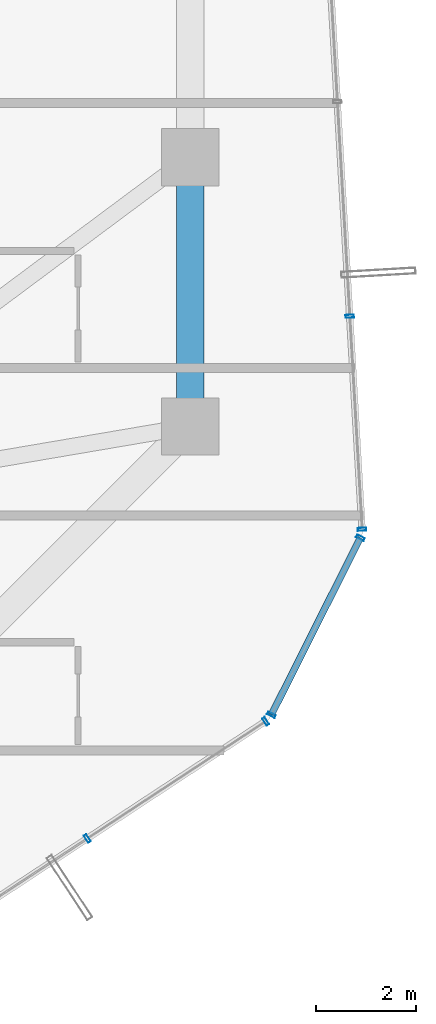
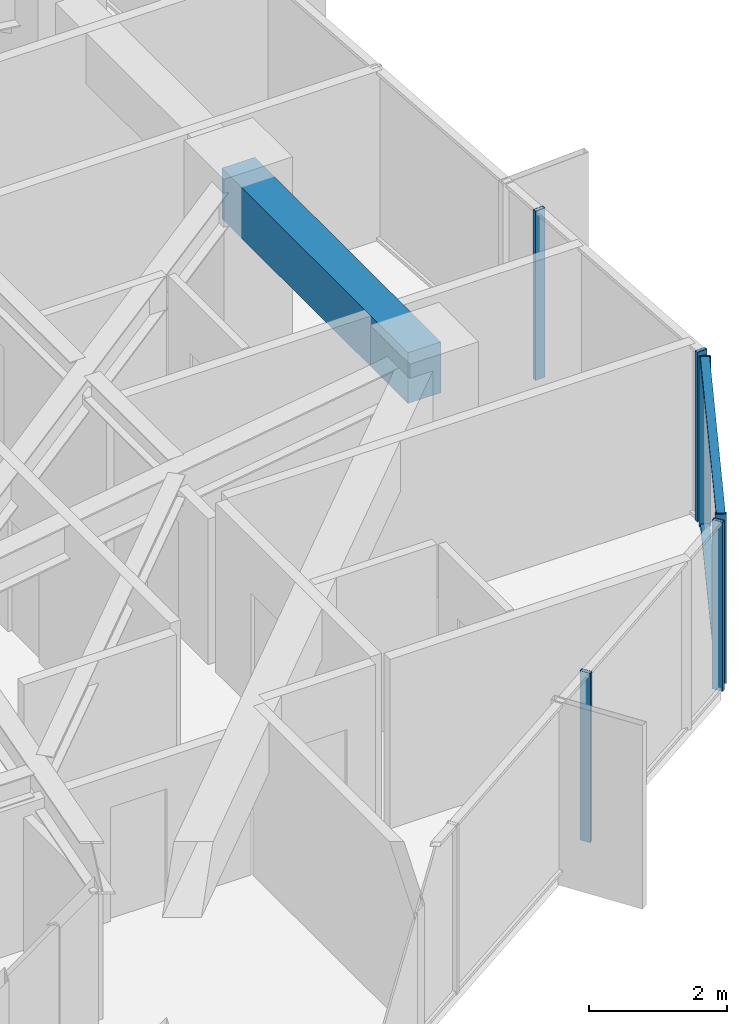
# One storey, part 14 of 33: 8 members, 1 beam, 3 elements without a shape of their own.
"""IFC4 building model written with IfcOpenShell, lengths in metres."""

from ifc_helpers import new_model, si_unit, direction, frame, origin, origin_2d, place, context, subcontext, project, spatial, rectangle, hollow_rectangle, extrude, source, transform, mapped, material, layer, layer_set, material_profile, profile_set, type_object, element, aggregate, save


model = new_model("IFC4")

# Units and contexts
model_context = context("Model", 3, precision=1e-05, world=origin(), true_north=direction((0.0, 1.0)))
body_context = subcontext(model_context, "Body", "Model", "MODEL_VIEW")
ifc_project = project(units=[si_unit("LENGTHUNIT", "METRE"), si_unit("AREAUNIT", "SQUARE_METRE"), si_unit("VOLUMEUNIT", "CUBIC_METRE"), si_unit("PLANEANGLEUNIT", "RADIAN"), si_unit("MASSUNIT", "GRAM", prefix="KILO")], contexts=[model_context])

# Site, building, storey
site_placement = place(None, origin())
site = spatial("IfcSite", under=ifc_project, at=site_placement, CompositionType="ELEMENT")
building_placement = place(site_placement, origin())
building = spatial("IfcBuilding", under=site, at=building_placement, Name="Veraguas Prism Commons", CompositionType="ELEMENT")
storey_placement = place(building_placement, frame((0.0, 0.0, 139.25)))
storey = spatial("IfcBuildingStorey", under=building, at=storey_placement, Name="L39", CompositionType="ELEMENT", Elevation=139.25)

# Beam
ifc_material_1 = material(Name="Concrete C50/60", Category="concrete")
ifc_material_profile_1 = material_profile(ifc_material_1, rectangle(XDim=0.550048828125, YDim=0.89990234375, at=origin_2d()), Name="RC550X900")
ifc_profile_set_1 = profile_set([ifc_material_profile_1], Name="Concrete C50/60")
beam_type = type_object("IfcBeamType", Name="Perimeter Spandrel Lower RC 550x900", PredefinedType="SPANDREL", material=ifc_profile_set_1)
beam_placement = place(storey_placement, frame((40.199951171875, 18.60009765625, 2.550048828125), z_axis=(0.0, 1.0, 0.0), x_axis=(-1.0, 0.0, 0.0)))
element("IfcBeam", 1, at=beam_placement, inside=storey, type_object=beam_type, Name="Perimeter Spandrel Beam L39-SP01", PredefinedType="SPANDREL", context=body_context, shape_type="SweptSolid", body=[
    extrude(rectangle(XDim=0.550048828125, YDim=0.89990234375, at=origin_2d()), origin(), (0.0, 0.0, 1.0), 5.39990234375),
])

# Curtain wall, members
ifc_material_2 = material(Name="Anodised aluminium EN AW-6063 T6", Category="aluminium")
ifc_layer = layer(ifc_material_2, 0.169921875, Name="Unitised Flush Curtain Wall Zone 2", Category="aluminium")
ifc_layer_set = layer_set([ifc_layer], Name="Anodised aluminium EN AW-6063 T6")
curtain_wall_type = type_object("IfcCurtainWallType", Name="Unitised Flush Curtain Wall Zone 2", PredefinedType="NOTDEFINED", material=ifc_layer_set)
curtain_wall_1_placement = place(storey_placement, origin())
curtain_wall_1 = element("IfcCurtainWall", 2, at=curtain_wall_1_placement, inside=storey, type_object=curtain_wall_type, Name="Tower Facade Curtain Wall L39-F5", PredefinedType="NOTDEFINED")
ifc_material_profile_2 = material_profile(ifc_material_2, hollow_rectangle(XDim=0.06005859375, YDim=0.169921875, WallThickness=0.00390625, at=origin_2d()), Name="AL60X170X4")
ifc_profile_set_2 = profile_set([ifc_material_profile_2], Name="Anodised aluminium EN AW-6063 T6")
member_type_1 = type_object("IfcMemberType", Name="Curtain Wall Mullion Lower AL 60x170x4", PredefinedType="MULLION", material=ifc_profile_set_2)
shared_shape_1 = source(origin(), body_context, "Body", "SweptSolid", [
    extrude(hollow_rectangle(XDim=0.06005859375, YDim=0.169921875, WallThickness=0.00390625, at=origin_2d()), origin(), (0.0, 0.0, 1.0), 3.0),
])
member_1_placement = place(storey_placement, frame((38.137451171875, 10.337646484375, 0.0), z_axis=(0.0, 0.0, 1.0), x_axis=(0.835619500254, 0.54930870264, 0.0)))
member_1 = element("IfcMember", 3, at=member_1_placement, type_object=member_type_1, Name="CW-Z2 Mullion 4", PredefinedType="MULLION", context=body_context, shape_type="MappedRepresentation", body=[
    mapped(shared_shape_1, transform((0.0, 0.0, 0.0), scale=1.0)),
])
member_2_placement = place(storey_placement, frame((41.712890625, 12.687744140625, 0.0), z_axis=(0.0, 0.0, 1.0), x_axis=(0.835619500254, 0.54930870264, 0.0)))
member_2 = element("IfcMember", 4, at=member_2_placement, type_object=member_type_1, Name="CW-Z2 Mullion 5", PredefinedType="MULLION", context=body_context, shape_type="MappedRepresentation", body=[
    mapped(shared_shape_1, transform((0.0, 0.0, 0.0), scale=1.0)),
])
aggregate(curtain_wall_1, [member_1, member_2])

curtain_wall_2_placement = place(storey_placement, origin())
curtain_wall_2 = element("IfcCurtainWall", 5, at=curtain_wall_2_placement, inside=storey, type_object=curtain_wall_type, Name="Tower Facade Curtain Wall L39-F6", PredefinedType="NOTDEFINED")
member_3_placement = place(storey_placement, frame((43.6474609375, 16.5380859375, 0.0), z_axis=(0.0, 0.0, 1.0), x_axis=(-0.05790728328, 0.998321965371, 0.0)))
member_3 = element("IfcMember", 6, at=member_3_placement, type_object=member_type_1, Name="CW-Z2 Mullion 1", PredefinedType="MULLION", context=body_context, shape_type="MappedRepresentation", body=[
    mapped(shared_shape_1, transform((0.0, 0.0, 0.0), scale=1.0)),
])
member_4_placement = place(storey_placement, frame((43.39990234375, 20.8095703125, 0.0), z_axis=(0.0, 0.0, 1.0), x_axis=(-0.05790728328, 0.998321965371, 0.0)))
member_4 = element("IfcMember", 7, at=member_4_placement, type_object=member_type_1, Name="CW-Z2 Mullion 2", PredefinedType="MULLION", context=body_context, shape_type="MappedRepresentation", body=[
    mapped(shared_shape_1, transform((0.0, 0.0, 0.0), scale=1.0)),
])
aggregate(curtain_wall_2, [member_3, member_4])

curtain_wall_3_placement = place(storey_placement, origin())
curtain_wall_3 = element("IfcCurtainWall", 8, at=curtain_wall_3_placement, inside=storey, type_object=curtain_wall_type, Name="Chamfer Curtain Wall L39-C6", PredefinedType="NOTDEFINED")
member_5_placement = place(storey_placement, frame((41.828369140625, 12.817626953125, 0.0), z_axis=(0.0, 0.0, 1.0), x_axis=(0.449018042277, 0.893522690092, 0.0)))
member_5 = element("IfcMember", 9, at=member_5_placement, type_object=member_type_1, Name="CW-Z2 Mullion 1", PredefinedType="MULLION", context=body_context, shape_type="MappedRepresentation", body=[
    mapped(shared_shape_1, transform((0.0, 0.0, 0.0), scale=1.0)),
])
member_6_placement = place(storey_placement, frame((43.612548828125, 16.367919921875, 0.0), z_axis=(0.0, 0.0, 1.0), x_axis=(0.449018042277, 0.893522690092, 0.0)))
member_6 = element("IfcMember", 10, at=member_6_placement, type_object=member_type_1, Name="CW-Z2 Mullion 2", PredefinedType="MULLION", context=body_context, shape_type="MappedRepresentation", body=[
    mapped(shared_shape_1, transform((0.0, 0.0, 0.0), scale=1.0)),
])
ifc_material_profile_3 = material_profile(ifc_material_2, hollow_rectangle(XDim=0.054931640625, YDim=0.135009765625, WallThickness=0.0029296875, at=origin_2d()), Name="AL55X135X3")
ifc_profile_set_3 = profile_set([ifc_material_profile_3], Name="Anodised aluminium EN AW-6063 T6")
member_type_2 = type_object("IfcMemberType", Name="Curtain Wall Transom Standard AL 55x135x3", PredefinedType="USERDEFINED", material=ifc_profile_set_3)
shared_shape_2 = source(origin(), body_context, "Body", "SweptSolid", [
    extrude(hollow_rectangle(XDim=0.054931640625, YDim=0.135009765625, WallThickness=0.0029296875, at=origin_2d()), origin(), (0.0, 0.0, 1.0), 3.973388671875),
])
member_7_placement = place(storey_placement, frame((41.828369140625, 12.817626953125, 0.027587890625), z_axis=(0.449031407896, 0.893515973401, 0.0), x_axis=(0.0, 0.0, 1.0)))
member_7 = element("IfcMember", 11, at=member_7_placement, type_object=member_type_2, Name="CW-Z2 Transom 1", ObjectType="TRANSOM", PredefinedType="USERDEFINED", context=body_context, shape_type="MappedRepresentation", body=[
    mapped(shared_shape_2, transform((0.0, 0.0, 0.0), scale=1.0)),
])
member_8_placement = place(storey_placement, frame((41.828369140625, 12.817626953125, 2.972412109375), z_axis=(0.449031407896, 0.893515973401, 0.0), x_axis=(0.0, 0.0, 1.0)))
member_8 = element("IfcMember", 12, at=member_8_placement, type_object=member_type_2, Name="CW-Z2 Transom 2", ObjectType="TRANSOM", PredefinedType="USERDEFINED", context=body_context, shape_type="MappedRepresentation", body=[
    mapped(shared_shape_2, transform((0.0, 0.0, 0.0), scale=1.0)),
])
aggregate(curtain_wall_3, [member_5, member_6, member_7, member_8])

save(model, "model.ifc")
